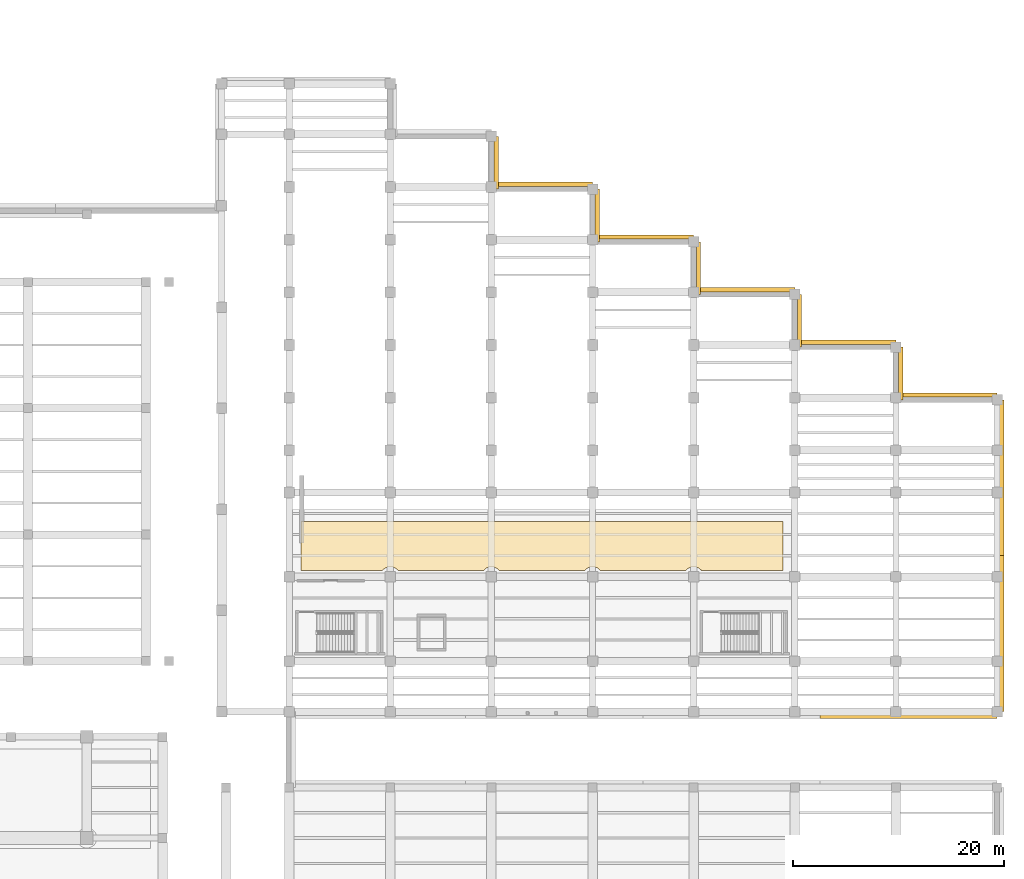
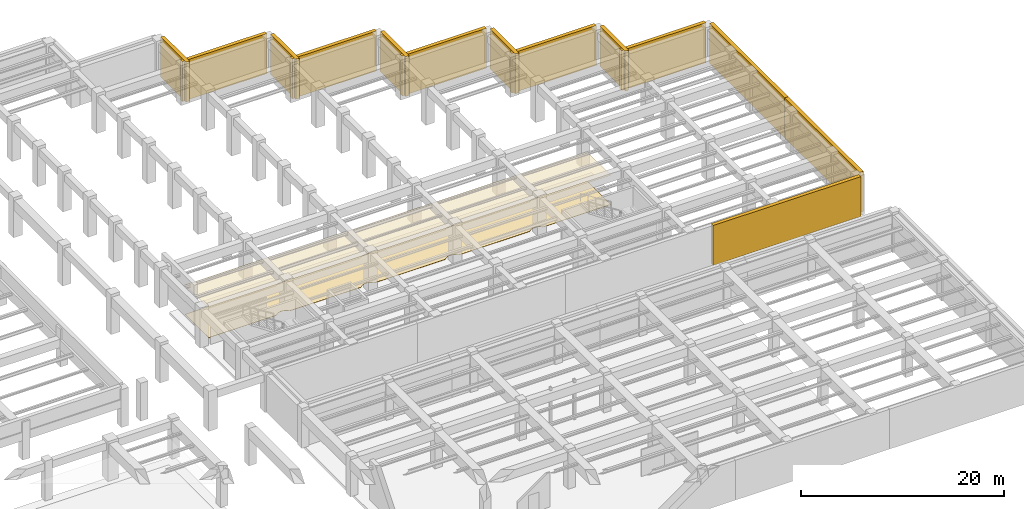
# One storey, part 44 of 45: 15 coverings.
"""IFC4 building model written with IfcOpenShell, lengths in metres."""

import ifcopenshell
import ifcopenshell.guid

model = None  # the IFC model being written
_history = None  # IfcOwnerHistory: only IFC2X3 demands one
_inside = {}  # id of a spatial element -> (the spatial element, [elements in it])
_under = {}  # id of a project, library or spatial element -> (it, [spatial elements below it])
_declared = {}  # id of a project -> (the project, [libraries it declares])
_typed = {}  # id of a type object -> (the type object, [elements of that type])
_made_of = {}  # id of a material, layer set ... -> (it, [elements and type objects made of it])


def new_model(schema):
    """Start an empty IFC model of exactly this schema.

    Asked for "IFC4X3", IfcOpenShell would pick the latest addendum, in which some entities
    have other attributes; the version numbers below select the first issue.
    IFC2X3 requires an IfcOwnerHistory on every rooted entity: one is made here for all.
    """
    global model, _history
    if schema == "IFC4X3":
        model = ifcopenshell.file(schema_version=(4, 3, 0, 0))
    else:
        model = ifcopenshell.file(schema=schema)
    _inside.clear()
    _under.clear()
    _declared.clear()
    _typed.clear()
    _made_of.clear()
    _history = None
    if model.schema == "IFC2X3":
        org = make("IfcOrganization", Name="unknown")
        user = make(
            "IfcPersonAndOrganization",
            ThePerson=make("IfcPerson", FamilyName="unknown"),
            TheOrganization=org,
        )
        app = make(
            "IfcApplication",
            ApplicationDeveloper=org,
            Version="unknown",
            ApplicationFullName="unknown",
            ApplicationIdentifier="unknown",
        )
        _history = make(
            "IfcOwnerHistory",
            OwningUser=user,
            OwningApplication=app,
            ChangeAction="ADDED",
            CreationDate=0,
        )
    return model


def make(cls, **values):
    """One entity of the class cls with the attributes given. An attribute that is None is left unset."""
    return model.create_entity(
        cls, **{name: value for name, value in values.items() if value is not None}
    )


def rooted(cls, **values):
    """An entity with a GlobalId (a new one), such as an element, a storey or a relation."""
    return make(cls, GlobalId=ifcopenshell.guid.new(), OwnerHistory=_history, **values)


def si_unit(unit_type, name, prefix=None):
    """IfcSIUnit, for example si_unit("LENGTHUNIT", "METRE", prefix="MILLI")."""
    return make("IfcSIUnit", UnitType=unit_type, Prefix=prefix, Name=name)


def assignment(units):
    """IfcUnitAssignment: the units of a project."""
    return None if units is None else make("IfcUnitAssignment", Units=units)


def point(xyz):
    """IfcCartesianPoint."""
    return None if xyz is None else make("IfcCartesianPoint", Coordinates=xyz)


def direction(xyz):
    """IfcDirection."""
    return None if xyz is None else make("IfcDirection", DirectionRatios=xyz)


def frame(location, z_axis=None, x_axis=None):
    """IfcAxis2Placement3D, a coordinate frame: its origin and axes. An axis left out is left unset."""
    return make(
        "IfcAxis2Placement3D",
        Location=point(location),
        Axis=direction(z_axis),
        RefDirection=direction(x_axis),
    )


def origin():
    """The frame at (0, 0, 0) with its axes left unset."""
    return frame((0.0, 0.0, 0.0))


def place(relative_to, where):
    """IfcLocalPlacement: puts the frame where relative to a parent placement (None: the world)."""
    return make(
        "IfcLocalPlacement", PlacementRelTo=relative_to, RelativePlacement=where
    )


def context(
    kind, dimensions, precision=None, world=None, true_north=None, identifier=None
):
    """IfcGeometricRepresentationContext, for example the 3D "Model" context."""
    return make(
        "IfcGeometricRepresentationContext",
        ContextIdentifier=identifier,
        ContextType=kind,
        CoordinateSpaceDimension=dimensions,
        Precision=precision,
        WorldCoordinateSystem=world,
        TrueNorth=true_north,
    )


def subcontext(parent, identifier, kind, view, scale=None):
    """IfcGeometricRepresentationSubContext, for example "Body" below "Model"."""
    return make(
        "IfcGeometricRepresentationSubContext",
        ContextIdentifier=identifier,
        ContextType=kind,
        ParentContext=parent,
        TargetScale=scale,
        TargetView=view,
    )


def project(units=None, contexts=None):
    """IfcProject with its units and contexts."""
    return rooted(
        "IfcProject",
        Name="project",
        RepresentationContexts=contexts,
        UnitsInContext=assignment(units),
    )


def spatial(cls, under=None, at=None, **own):
    """A site, building, storey or space (cls), placed at a placement, below another one or the project."""
    s = rooted(cls, ObjectPlacement=at, **own)
    if under is not None:
        _under.setdefault(under.id(), (under, []))[1].append(s)
    return s


def polyline(points):
    """IfcPolyline through the points."""
    return make("IfcPolyline", Points=[point(p) for p in points])


def outline(outer, holes=None, kind="AREA"):
    """IfcArbitraryClosedProfileDef: a profile drawn as a closed curve; with holes, ...WithVoids."""
    if holes is None:
        return make("IfcArbitraryClosedProfileDef", ProfileType=kind, OuterCurve=outer)
    return make(
        "IfcArbitraryProfileDefWithVoids",
        ProfileType=kind,
        OuterCurve=outer,
        InnerCurves=holes,
    )


def extrude(swept, where, along, depth):
    """IfcExtrudedAreaSolid: the profile swept, set in the frame where, extruded along a direction by depth."""
    return make(
        "IfcExtrudedAreaSolid",
        SweptArea=swept,
        Position=where,
        ExtrudedDirection=direction(along),
        Depth=depth,
    )


def shape(context_of_items, identifier, shape_type, items):
    """IfcShapeRepresentation: the items that make up one representation, for example the "Body"."""
    return make(
        "IfcShapeRepresentation",
        ContextOfItems=context_of_items,
        RepresentationIdentifier=identifier,
        RepresentationType=shape_type,
        Items=items,
    )


def material(Name=None, Category=None):
    """IfcMaterial."""
    return make("IfcMaterial", Name=Name, Category=Category)


def layer(
    of_material, thickness, ventilated=None, Name=None, Category=None, Priority=None
):
    """IfcMaterialLayer: one layer of a wall or slab, of a material (None: an air gap)."""
    return make(
        "IfcMaterialLayer",
        Material=of_material,
        LayerThickness=thickness,
        IsVentilated=ventilated,
        Name=Name,
        Category=Category,
        Priority=Priority,
    )


def layer_set(layers, Name=None):
    """IfcMaterialLayerSet."""
    return make("IfcMaterialLayerSet", MaterialLayers=layers, LayerSetName=Name)


def made_of(thing, what):
    """Note that an element or type object is made of a material, layer set ...; save() writes the relation."""
    if what is not None:
        _made_of.setdefault(what.id(), (what, []))[1].append(thing)
    return thing


def type_object(cls, material=None, **own):
    """A type object (cls), such as IfcWallType, which elements share."""
    return made_of(rooted(cls, **own), material)


def element(
    cls,
    number,
    at=None,
    inside=None,
    cuts=None,
    type_object=None,
    material=None,
    context=None,
    identifier="Body",
    shape_type=None,
    held_by="IfcProductDefinitionShape",
    body=None,
    shapes=None,
    **own,
):
    """One element of the class cls, such as IfcWall. Its Tag is "e" and its number.

    at: its placement. inside: the storey or other place that contains it. cuts: it is an
    opening in that element (IfcRelVoidsElement). A single representation is given by context,
    identifier, shape_type and body (its items); several are given by shapes. held_by: the class
    of the entity that holds the representations. save() writes the other relations.
    """
    e = rooted(cls, Tag="e%d" % number, ObjectPlacement=at, **own)
    if body is not None:
        shapes = [shape(context, identifier, shape_type, body)]
    if shapes is not None:
        e.Representation = make(held_by, Representations=shapes)
    if inside is not None:
        _inside.setdefault(inside.id(), (inside, []))[1].append(e)
    if cuts is not None:
        rooted(
            "IfcRelVoidsElement", RelatingBuildingElement=cuts, RelatedOpeningElement=e
        )
    if type_object is not None:
        _typed.setdefault(type_object.id(), (type_object, []))[1].append(e)
    return made_of(e, material)


def aggregate(whole, parts):
    """IfcRelAggregates: a whole, such as a stair, and the parts it consists of."""
    return rooted("IfcRelAggregates", RelatingObject=whole, RelatedObjects=parts)


def save(model, path):
    """Write the relations noted so far, then the file.

    IfcRelAggregates (storeys below a building ...), IfcRelContainedInSpatialStructure (elements
    in a storey), IfcRelDefinesByType, IfcRelAssociatesMaterial and IfcRelDeclares: one each for
    every whole, place, type object, material and project.
    """
    for whole, parts in _under.values():
        aggregate(whole, parts)
    for where, things in _inside.values():
        rooted(
            "IfcRelContainedInSpatialStructure",
            RelatedElements=things,
            RelatingStructure=where,
        )
    for kind, things in _typed.values():
        rooted("IfcRelDefinesByType", RelatedObjects=things, RelatingType=kind)
    for what, things in _made_of.values():
        rooted("IfcRelAssociatesMaterial", RelatedObjects=things, RelatingMaterial=what)
    for by, libraries in _declared.values():
        rooted("IfcRelDeclares", RelatingContext=by, RelatedDefinitions=libraries)
    model.write(path)


model = new_model("IFC4")

# Units and contexts
model_context = context("Model", 3, precision=1e-05, world=origin(), true_north=direction((0.0, 1.0)))
body_context = subcontext(model_context, "Body", "Model", "MODEL_VIEW")
ifc_project = project(units=[si_unit("LENGTHUNIT", "METRE"), si_unit("AREAUNIT", "SQUARE_METRE"), si_unit("VOLUMEUNIT", "CUBIC_METRE"), si_unit("PLANEANGLEUNIT", "RADIAN"), si_unit("MASSUNIT", "GRAM", prefix="KILO")], contexts=[model_context])

# Site, building, storey
site_placement = place(None, origin())
site = spatial("IfcSite", under=ifc_project, at=site_placement, CompositionType="ELEMENT")
building_placement = place(site_placement, origin())
building = spatial("IfcBuilding", under=site, at=building_placement, Name="Mavantir Sound Aquarium", CompositionType="ELEMENT")
storey_placement = place(building_placement, frame((0.0, 0.0, -4.800048828125)))
storey = spatial("IfcBuildingStorey", under=building, at=storey_placement, Name="B1", CompositionType="ELEMENT", Elevation=-4.800048828125)

# Coverings
ifc_material_1 = material(Name="Moisture-Resistant Acoustic Mineral Fibre Tile")
ifc_layer_1 = layer(ifc_material_1, 0.02490234375, Name="Moisture-Resistant Acoustic Mineral Fibre Tile")
ifc_layer_set_1 = layer_set([ifc_layer_1], Name="Moisture-Resistant Acoustic Mineral Fibre Tile")
covering_type_1 = type_object("IfcCoveringType", Name="COV-CEIL-AC", PredefinedType="CEILING", material=ifc_layer_set_1)
covering_1_placement = place(storey_placement, frame((0.0, 0.0, 3.541015625)))
element("IfcCovering", 1, at=covering_1_placement, inside=storey, type_object=covering_type_1, Name="B1 Salt Mixing and Reef Quarantine Husbandry Prep suspended acoustic ceiling", PredefinedType="CEILING", context=body_context, shape_type="SweptSolid", body=[
    extrude(outline(polyline([(154.860107421875, 54.06005859375), (154.860107421875, 49.39990234375), (147.13623046875, 49.39990234375), (147.134521484375, 49.402587890625), (147.07177734375, 49.4716796875), (147.002685546875, 49.534423828125), (146.927734375, 49.58984375), (146.847900390625, 49.6376953125), (146.763427734375, 49.677734375), (146.67578125, 49.708984375), (146.585205078125, 49.731689453125), (146.4931640625, 49.745361328125), (146.39990234375, 49.75), (146.306884765625, 49.745361328125), (146.214599609375, 49.731689453125), (146.124267578125, 49.708984375), (146.03662109375, 49.677734375), (145.9521484375, 49.6376953125), (145.872314453125, 49.58984375), (145.79736328125, 49.534423828125), (145.728271484375, 49.4716796875), (145.66552734375, 49.402587890625), (145.663818359375, 49.39990234375), (137.536376953125, 49.39990234375), (137.534423828125, 49.402587890625), (137.4716796875, 49.4716796875), (137.402587890625, 49.534423828125), (137.327880859375, 49.58984375), (137.247802734375, 49.6376953125), (137.16357421875, 49.677734375), (137.07568359375, 49.708984375), (136.9853515625, 49.731689453125), (136.89306640625, 49.745361328125), (136.800048828125, 49.75), (136.706787109375, 49.745361328125), (136.61474609375, 49.731689453125), (136.524169921875, 49.708984375), (136.4365234375, 49.677734375), (136.352294921875, 49.6376953125), (136.272216796875, 49.58984375), (136.197265625, 49.534423828125), (136.128173828125, 49.4716796875), (136.065673828125, 49.402587890625), (136.063720703125, 49.39990234375), (127.936279296875, 49.39990234375), (127.934326171875, 49.402587890625), (127.871826171875, 49.4716796875), (127.802734375, 49.534423828125), (127.727783203125, 49.58984375), (127.647705078125, 49.6376953125), (127.5634765625, 49.677734375), (127.475830078125, 49.708984375), (127.38525390625, 49.731689453125), (127.293212890625, 49.745361328125), (127.199951171875, 49.75), (127.10693359375, 49.745361328125), (127.0146484375, 49.731689453125), (126.92431640625, 49.708984375), (126.83642578125, 49.677734375), (126.752197265625, 49.6376953125), (126.672119140625, 49.58984375), (126.597412109375, 49.534423828125), (126.5283203125, 49.4716796875), (126.465576171875, 49.402587890625), (126.463623046875, 49.39990234375), (118.336181640625, 49.39990234375), (118.33447265625, 49.402587890625), (118.271728515625, 49.4716796875), (118.20263671875, 49.534423828125), (118.127685546875, 49.58984375), (118.0478515625, 49.6376953125), (117.96337890625, 49.677734375), (117.875732421875, 49.708984375), (117.785400390625, 49.731689453125), (117.693115234375, 49.745361328125), (117.60009765625, 49.75), (117.5068359375, 49.745361328125), (117.414794921875, 49.731689453125), (117.32421875, 49.708984375), (117.236572265625, 49.677734375), (117.152099609375, 49.6376953125), (117.072265625, 49.58984375), (116.997314453125, 49.534423828125), (116.92822265625, 49.4716796875), (116.865478515625, 49.402587890625), (116.86376953125, 49.39990234375), (109.139892578125, 49.39990234375), (109.139892578125, 54.06005859375), (154.860107421875, 54.06005859375)])), origin(), (0.0, 0.0, 1.0), 0.025146484375),
])
ifc_material_2 = material(Name="Honed Coral-Limestone & Glazed Terracotta Rainscreen Cladding", Category="masonry")
ifc_layer_2 = layer(ifc_material_2, 0.06005859375, Name="Honed Coral-Limestone & Glazed Terracotta Rainscreen Cladding")
ifc_layer_set_2 = layer_set([ifc_layer_2], Name="Honed Coral-Limestone & Glazed Terracotta Rainscreen Cladding")
covering_type_2 = type_object("IfcCoveringType", Name="COV-CLAD-TC", PredefinedType="CLADDING", material=ifc_layer_set_2)
covering_2_placement = place(storey_placement, origin())
element("IfcCovering", 2, at=covering_2_placement, inside=storey, type_object=covering_type_2, Name="B1 rusticated coral-stone plinth cladding 11", PredefinedType="CLADDING", context=body_context, shape_type="SweptSolid", body=[
    extrude(outline(polyline([(158.387451171875, 35.75), (175.199951171875, 35.75), (175.199951171875, 35.340087890625), (158.387451171875, 35.340087890625), (158.387451171875, 35.75)])), origin(), (0.0, 0.0, 1.0), 4.800048828125),
])
covering_3_placement = place(storey_placement, origin())
element("IfcCovering", 3, at=covering_3_placement, inside=storey, type_object=covering_type_2, Name="B1 rusticated coral-stone plinth cladding 12", PredefinedType="CLADDING", context=body_context, shape_type="SweptSolid", body=[
    extrude(outline(polyline([(175.449951171875, 36.0), (175.449951171875, 50.800048828125), (175.860107421875, 50.800048828125), (175.860107421875, 36.0), (175.449951171875, 36.0)])), origin(), (0.0, 0.0, 1.0), 4.800048828125),
])
covering_4_placement = place(storey_placement, origin())
element("IfcCovering", 4, at=covering_4_placement, inside=storey, type_object=covering_type_2, Name="B1 rusticated coral-stone plinth cladding 13", PredefinedType="CLADDING", context=body_context, shape_type="SweptSolid", body=[
    extrude(outline(polyline([(175.449951171875, 50.800048828125), (175.449951171875, 65.60009765625), (175.860107421875, 65.60009765625), (175.860107421875, 50.800048828125), (175.449951171875, 50.800048828125)])), origin(), (0.0, 0.0, 1.0), 4.800048828125),
])
covering_5_placement = place(storey_placement, origin())
element("IfcCovering", 5, at=covering_5_placement, inside=storey, type_object=covering_type_2, Name="B1 rusticated coral-stone plinth cladding 14", PredefinedType="CLADDING", context=body_context, shape_type="SweptSolid", body=[
    extrude(outline(polyline([(175.199951171875, 65.85009765625), (165.60009765625, 65.85009765625), (165.60009765625, 66.260009765625), (175.199951171875, 66.260009765625), (175.199951171875, 65.85009765625)])), origin(), (0.0, 0.0, 1.0), 4.800048828125),
])
covering_6_placement = place(storey_placement, origin())
element("IfcCovering", 6, at=covering_6_placement, inside=storey, type_object=covering_type_2, Name="B1 rusticated coral-stone plinth cladding 15", PredefinedType="CLADDING", context=body_context, shape_type="SweptSolid", body=[
    extrude(outline(polyline([(165.85009765625, 65.60009765625), (165.85009765625, 70.60009765625), (166.260009765625, 70.60009765625), (166.260009765625, 65.60009765625), (165.85009765625, 65.60009765625)])), origin(), (0.0, 0.0, 1.0), 4.800048828125),
])
covering_7_placement = place(storey_placement, origin())
element("IfcCovering", 7, at=covering_7_placement, inside=storey, type_object=covering_type_2, Name="B1 rusticated coral-stone plinth cladding 16", PredefinedType="CLADDING", context=body_context, shape_type="SweptSolid", body=[
    extrude(outline(polyline([(165.60009765625, 70.85009765625), (156.0, 70.85009765625), (156.0, 71.260009765625), (165.60009765625, 71.260009765625), (165.60009765625, 70.85009765625)])), origin(), (0.0, 0.0, 1.0), 4.800048828125),
])
covering_8_placement = place(storey_placement, origin())
element("IfcCovering", 8, at=covering_8_placement, inside=storey, type_object=covering_type_2, Name="B1 rusticated coral-stone plinth cladding 17", PredefinedType="CLADDING", context=body_context, shape_type="SweptSolid", body=[
    extrude(outline(polyline([(156.25, 70.60009765625), (156.25, 75.60009765625), (156.659912109375, 75.60009765625), (156.659912109375, 70.60009765625), (156.25, 70.60009765625)])), origin(), (0.0, 0.0, 1.0), 4.800048828125),
])
covering_9_placement = place(storey_placement, origin())
element("IfcCovering", 9, at=covering_9_placement, inside=storey, type_object=covering_type_2, Name="B1 rusticated coral-stone plinth cladding 18", PredefinedType="CLADDING", context=body_context, shape_type="SweptSolid", body=[
    extrude(outline(polyline([(156.0, 75.85009765625), (146.39990234375, 75.85009765625), (146.39990234375, 76.260009765625), (156.0, 76.260009765625), (156.0, 75.85009765625)])), origin(), (0.0, 0.0, 1.0), 4.800048828125),
])
covering_10_placement = place(storey_placement, origin())
element("IfcCovering", 10, at=covering_10_placement, inside=storey, type_object=covering_type_2, Name="B1 rusticated coral-stone plinth cladding 19", PredefinedType="CLADDING", context=body_context, shape_type="SweptSolid", body=[
    extrude(outline(polyline([(146.64990234375, 75.60009765625), (146.64990234375, 80.60009765625), (147.06005859375, 80.60009765625), (147.06005859375, 75.60009765625), (146.64990234375, 75.60009765625)])), origin(), (0.0, 0.0, 1.0), 4.800048828125),
])
covering_11_placement = place(storey_placement, origin())
element("IfcCovering", 11, at=covering_11_placement, inside=storey, type_object=covering_type_2, Name="B1 rusticated coral-stone plinth cladding 20", PredefinedType="CLADDING", context=body_context, shape_type="SweptSolid", body=[
    extrude(outline(polyline([(146.39990234375, 80.85009765625), (136.800048828125, 80.85009765625), (136.800048828125, 81.260009765625), (146.39990234375, 81.260009765625), (146.39990234375, 80.85009765625)])), origin(), (0.0, 0.0, 1.0), 4.800048828125),
])
covering_12_placement = place(storey_placement, origin())
element("IfcCovering", 12, at=covering_12_placement, inside=storey, type_object=covering_type_2, Name="B1 rusticated coral-stone plinth cladding 21", PredefinedType="CLADDING", context=body_context, shape_type="SweptSolid", body=[
    extrude(outline(polyline([(137.050048828125, 80.60009765625), (137.050048828125, 85.60009765625), (137.4599609375, 85.60009765625), (137.4599609375, 80.60009765625), (137.050048828125, 80.60009765625)])), origin(), (0.0, 0.0, 1.0), 4.800048828125),
])
covering_13_placement = place(storey_placement, origin())
element("IfcCovering", 13, at=covering_13_placement, inside=storey, type_object=covering_type_2, Name="B1 rusticated coral-stone plinth cladding 22", PredefinedType="CLADDING", context=body_context, shape_type="SweptSolid", body=[
    extrude(outline(polyline([(136.800048828125, 85.85009765625), (127.199951171875, 85.85009765625), (127.199951171875, 86.260009765625), (136.800048828125, 86.260009765625), (136.800048828125, 85.85009765625)])), origin(), (0.0, 0.0, 1.0), 4.800048828125),
])
covering_14_placement = place(storey_placement, origin())
element("IfcCovering", 14, at=covering_14_placement, inside=storey, type_object=covering_type_2, Name="B1 rusticated coral-stone plinth cladding 23", PredefinedType="CLADDING", context=body_context, shape_type="SweptSolid", body=[
    extrude(outline(polyline([(127.449951171875, 85.60009765625), (127.449951171875, 90.60009765625), (127.860107421875, 90.60009765625), (127.860107421875, 85.60009765625), (127.449951171875, 85.60009765625)])), origin(), (0.0, 0.0, 1.0), 4.800048828125),
])
ifc_material_3 = material(Name="Marine Epoxy Recycled-Shell Terrazzo Flooring")
ifc_layer_3 = layer(ifc_material_3, 0.030029296875, Name="Marine Epoxy Recycled-Shell Terrazzo Flooring")
ifc_layer_set_3 = layer_set([ifc_layer_3], Name="Marine Epoxy Recycled-Shell Terrazzo Flooring")
covering_type_3 = type_object("IfcCoveringType", Name="COV-FLR-TZ", PredefinedType="FLOORING", material=ifc_layer_set_3)
covering_15_placement = place(storey_placement, origin())
element("IfcCovering", 15, at=covering_15_placement, inside=storey, type_object=covering_type_3, Name="B1 Salt Mixing and Reef Quarantine Husbandry Prep terrazzo flooring", PredefinedType="FLOORING", context=body_context, shape_type="SweptSolid", body=[
    extrude(outline(polyline([(154.860107421875, 54.06005859375), (154.860107421875, 49.39990234375), (147.13623046875, 49.39990234375), (147.134521484375, 49.402587890625), (147.07177734375, 49.4716796875), (147.002685546875, 49.534423828125), (146.927734375, 49.58984375), (146.847900390625, 49.6376953125), (146.763427734375, 49.677734375), (146.67578125, 49.708984375), (146.585205078125, 49.731689453125), (146.4931640625, 49.745361328125), (146.39990234375, 49.75), (146.306884765625, 49.745361328125), (146.214599609375, 49.731689453125), (146.124267578125, 49.708984375), (146.03662109375, 49.677734375), (145.9521484375, 49.6376953125), (145.872314453125, 49.58984375), (145.79736328125, 49.534423828125), (145.728271484375, 49.4716796875), (145.66552734375, 49.402587890625), (145.663818359375, 49.39990234375), (137.536376953125, 49.39990234375), (137.534423828125, 49.402587890625), (137.4716796875, 49.4716796875), (137.402587890625, 49.534423828125), (137.327880859375, 49.58984375), (137.247802734375, 49.6376953125), (137.16357421875, 49.677734375), (137.07568359375, 49.708984375), (136.9853515625, 49.731689453125), (136.89306640625, 49.745361328125), (136.800048828125, 49.75), (136.706787109375, 49.745361328125), (136.61474609375, 49.731689453125), (136.524169921875, 49.708984375), (136.4365234375, 49.677734375), (136.352294921875, 49.6376953125), (136.272216796875, 49.58984375), (136.197265625, 49.534423828125), (136.128173828125, 49.4716796875), (136.065673828125, 49.402587890625), (136.063720703125, 49.39990234375), (127.936279296875, 49.39990234375), (127.934326171875, 49.402587890625), (127.871826171875, 49.4716796875), (127.802734375, 49.534423828125), (127.727783203125, 49.58984375), (127.647705078125, 49.6376953125), (127.5634765625, 49.677734375), (127.475830078125, 49.708984375), (127.38525390625, 49.731689453125), (127.293212890625, 49.745361328125), (127.199951171875, 49.75), (127.10693359375, 49.745361328125), (127.0146484375, 49.731689453125), (126.92431640625, 49.708984375), (126.83642578125, 49.677734375), (126.752197265625, 49.6376953125), (126.672119140625, 49.58984375), (126.597412109375, 49.534423828125), (126.5283203125, 49.4716796875), (126.465576171875, 49.402587890625), (126.463623046875, 49.39990234375), (118.336181640625, 49.39990234375), (118.33447265625, 49.402587890625), (118.271728515625, 49.4716796875), (118.20263671875, 49.534423828125), (118.127685546875, 49.58984375), (118.0478515625, 49.6376953125), (117.96337890625, 49.677734375), (117.875732421875, 49.708984375), (117.785400390625, 49.731689453125), (117.693115234375, 49.745361328125), (117.60009765625, 49.75), (117.5068359375, 49.745361328125), (117.414794921875, 49.731689453125), (117.32421875, 49.708984375), (117.236572265625, 49.677734375), (117.152099609375, 49.6376953125), (117.072265625, 49.58984375), (116.997314453125, 49.534423828125), (116.92822265625, 49.4716796875), (116.865478515625, 49.402587890625), (116.86376953125, 49.39990234375), (109.139892578125, 49.39990234375), (109.139892578125, 54.06005859375), (154.860107421875, 54.06005859375)])), origin(), (0.0, 0.0, 1.0), 0.030029296875),
])

save(model, "model.ifc")
